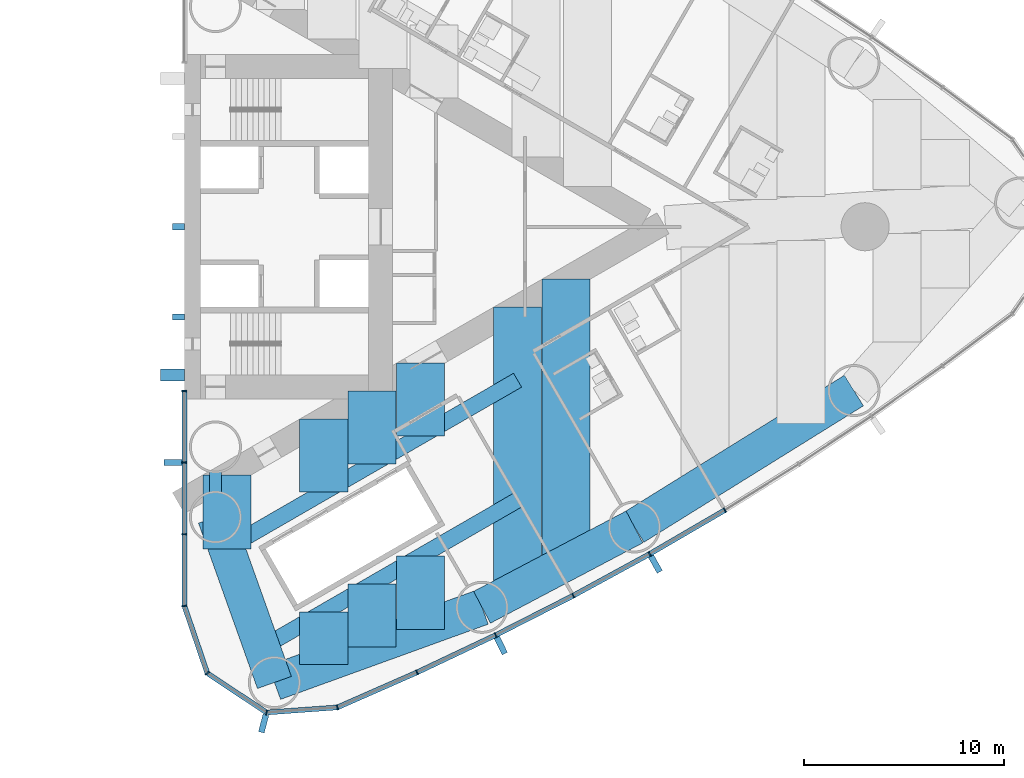
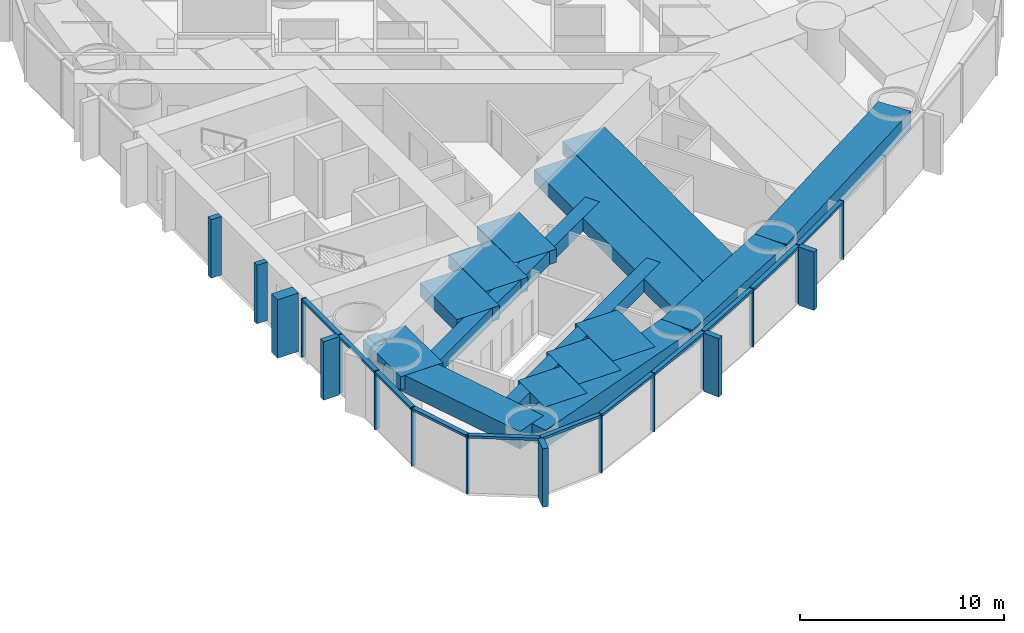
# One storey, part 6 of 18: 30 members, 16 beams, 1 element without a shape of its own.
"""IFC4 building model written with IfcOpenShell, lengths in metres."""

from ifc_helpers import new_model, si_unit, direction, frame, origin, origin_2d, place, context, subcontext, project, spatial, rectangle, hollow_rectangle, extrude, material, material_profile, profile_set, type_object, element, aggregate, save


model = new_model("IFC4")

# Units and contexts
model_context = context("Model", 3, precision=1e-05, world=origin(), true_north=direction((0.0, 1.0)))
body_context = subcontext(model_context, "Body", "Model", "MODEL_VIEW")
ifc_project = project(units=[si_unit("LENGTHUNIT", "METRE"), si_unit("AREAUNIT", "SQUARE_METRE"), si_unit("VOLUMEUNIT", "CUBIC_METRE"), si_unit("PLANEANGLEUNIT", "RADIAN"), si_unit("MASSUNIT", "GRAM", prefix="KILO")], contexts=[model_context])

# Site, building, storey
site_placement = place(None, origin())
site = spatial("IfcSite", under=ifc_project, at=site_placement, CompositionType="ELEMENT")
building_placement = place(site_placement, origin())
building = spatial("IfcBuilding", under=site, at=building_placement, Name="Lancet Gate Hotel", CompositionType="ELEMENT")
storey_placement = place(building_placement, frame((0.0, 0.0, 125.60009765625)))
storey = spatial("IfcBuildingStorey", under=building, at=storey_placement, Name="L33", CompositionType="ELEMENT", Elevation=125.60009765625)

# Curtain wall, members
ifc_material_1 = material(Name="Aluminium curtain wall", Category="aluminium")
curtain_wall_type = type_object("IfcCurtainWallType", Name="Tower unitised curtain wall", PredefinedType="USERDEFINED", material=ifc_material_1)
curtain_wall_placement = place(storey_placement, origin())
curtain_wall = element("IfcCurtainWall", 1, at=curtain_wall_placement, inside=storey, type_object=curtain_wall_type, Name="T2 L33 curtain wall 1", ObjectType="UNITISED CURTAIN WALL", PredefinedType="USERDEFINED")
ifc_material_2 = material(Name="Aluminium mullion", Category="aluminium")
ifc_material_profile_1 = material_profile(ifc_material_2, rectangle(XDim=0.06494140625, YDim=0.25, at=origin_2d()), Name="MULLION 65x250")
ifc_profile_set_1 = profile_set([ifc_material_profile_1], Name="Aluminium mullion")
member_type_1 = type_object("IfcMemberType", Name="Aluminium mullion 65x250", PredefinedType="MULLION", material=ifc_profile_set_1)
member_1_placement = place(storey_placement, frame((27.5, -8.199951171875, 0.0), z_axis=(0.0, 0.0, 1.0), x_axis=(0.0, -1.0, 0.0)))
member_1 = element("IfcMember", 2, at=member_1_placement, type_object=member_type_1, Name="T2 L33 curtain wall 1 mullion 1", PredefinedType="MULLION", context=body_context, shape_type="SweptSolid", body=[
    extrude(rectangle(XDim=0.06494140625, YDim=0.25, at=origin_2d()), origin(), (0.0, 0.0, 1.0), 3.5),
])
member_2_placement = place(storey_placement, frame((27.5, -11.781005859375, 0.0), z_axis=(0.0, 0.0, 1.0), x_axis=(0.0, -1.0, 0.0)))
member_2 = element("IfcMember", 3, at=member_2_placement, type_object=member_type_1, Name="T2 L33 curtain wall 1 mullion 2", PredefinedType="MULLION", context=body_context, shape_type="SweptSolid", body=[
    extrude(rectangle(XDim=0.06494140625, YDim=0.25, at=origin_2d()), origin(), (0.0, 0.0, 1.0), 3.5),
])
member_3_placement = place(storey_placement, frame((27.5, -15.362060546875, 0.0), z_axis=(0.0, 0.0, 1.0), x_axis=(0.0, -1.0, 0.0)))
member_3 = element("IfcMember", 4, at=member_3_placement, type_object=member_type_1, Name="T2 L33 curtain wall 1 mullion 3", PredefinedType="MULLION", context=body_context, shape_type="SweptSolid", body=[
    extrude(rectangle(XDim=0.06494140625, YDim=0.25, at=origin_2d()), origin(), (0.0, 0.0, 1.0), 3.5),
])
member_4_placement = place(storey_placement, frame((27.5, -18.94287109375, 0.0), z_axis=(0.0, 0.0, 1.0), x_axis=(0.162738742557, -0.986669195663, 0.0)))
member_4 = element("IfcMember", 5, at=member_4_placement, type_object=member_type_1, Name="T2 L33 curtain wall 1 mullion 4", PredefinedType="MULLION", context=body_context, shape_type="SweptSolid", body=[
    extrude(rectangle(XDim=0.06494140625, YDim=0.25, at=origin_2d()), origin(), (0.0, 0.0, 1.0), 3.5),
])
member_5_placement = place(storey_placement, frame((28.64453125, -22.301513671875, 0.0), z_axis=(0.0, 0.0, 1.0), x_axis=(0.610663954798, -0.79188984986, 0.0)))
member_5 = element("IfcMember", 6, at=member_5_placement, type_object=member_type_1, Name="T2 L33 curtain wall 1 mullion 5", PredefinedType="MULLION", context=body_context, shape_type="SweptSolid", body=[
    extrude(rectangle(XDim=0.06494140625, YDim=0.25, at=origin_2d()), origin(), (0.0, 0.0, 1.0), 3.5),
])
member_6_placement = place(storey_placement, frame((31.60205078125, -24.26220703125, 0.0), z_axis=(0.0, 0.0, 1.0), x_axis=(0.967157174963, -0.254179068604, 0.0)))
member_6 = element("IfcMember", 7, at=member_6_placement, type_object=member_type_1, Name="T2 L33 curtain wall 1 mullion 6", PredefinedType="MULLION", context=body_context, shape_type="SweptSolid", body=[
    extrude(rectangle(XDim=0.06494140625, YDim=0.25, at=origin_2d()), origin(), (0.0, 0.0, 1.0), 3.5),
])
member_7_placement = place(storey_placement, frame((35.141357421875, -24.009033203125, 0.0), z_axis=(0.0, 0.0, 1.0), x_axis=(0.966317378791, 0.257353304711, 0.0)))
member_7 = element("IfcMember", 8, at=member_7_placement, type_object=member_type_1, Name="T2 L33 curtain wall 1 mullion 7", PredefinedType="MULLION", context=body_context, shape_type="SweptSolid", body=[
    extrude(rectangle(XDim=0.06494140625, YDim=0.25, at=origin_2d()), origin(), (0.0, 0.0, 1.0), 3.5),
])
member_8_placement = place(storey_placement, frame((39.12109375, -22.259765625, 0.0), z_axis=(0.0, 0.0, 1.0), x_axis=(0.909672766767, 0.415325724465, 0.0)))
member_8 = element("IfcMember", 9, at=member_8_placement, type_object=member_type_1, Name="T2 L33 curtain wall 1 mullion 8", PredefinedType="MULLION", context=body_context, shape_type="SweptSolid", body=[
    extrude(rectangle(XDim=0.06494140625, YDim=0.25, at=origin_2d()), origin(), (0.0, 0.0, 1.0), 3.5),
])
member_9_placement = place(storey_placement, frame((43.0498046875, -20.398193359375, 0.0), z_axis=(0.0, 0.0, 1.0), x_axis=(0.897511886496, 0.440990264743, 0.0)))
member_9 = element("IfcMember", 10, at=member_9_placement, type_object=member_type_1, Name="T2 L33 curtain wall 1 mullion 9", PredefinedType="MULLION", context=body_context, shape_type="SweptSolid", body=[
    extrude(rectangle(XDim=0.06494140625, YDim=0.25, at=origin_2d()), origin(), (0.0, 0.0, 1.0), 3.5),
])
member_10_placement = place(storey_placement, frame((46.923828125, -18.426025390625, 0.0), z_axis=(0.0, 0.0, 1.0), x_axis=(0.884627112962, 0.466299121822, 0.0)))
member_10 = element("IfcMember", 11, at=member_10_placement, type_object=member_type_1, Name="T2 L33 curtain wall 1 mullion 10", PredefinedType="MULLION", context=body_context, shape_type="SweptSolid", body=[
    extrude(rectangle(XDim=0.06494140625, YDim=0.25, at=origin_2d()), origin(), (0.0, 0.0, 1.0), 3.5),
])
member_11_placement = place(storey_placement, frame((50.740478515625, -16.344482421875, 0.0), z_axis=(0.0, 0.0, 1.0), x_axis=(0.871028838445, 0.491231882716, 0.0)))
member_11 = element("IfcMember", 12, at=member_11_placement, type_object=member_type_1, Name="T2 L33 curtain wall 1 mullion 11", PredefinedType="MULLION", context=body_context, shape_type="SweptSolid", body=[
    extrude(rectangle(XDim=0.06494140625, YDim=0.25, at=origin_2d()), origin(), (0.0, 0.0, 1.0), 3.5),
])
member_12_placement = place(storey_placement, frame((54.496337890625, -14.1552734375, 0.0), z_axis=(0.0, 0.0, 1.0), x_axis=(0.856728030701, 0.515768437781, 0.0)))
member_12 = element("IfcMember", 13, at=member_12_placement, type_object=member_type_1, Name="T2 L33 curtain wall 1 mullion 12", PredefinedType="MULLION", context=body_context, shape_type="SweptSolid", body=[
    extrude(rectangle(XDim=0.06494140625, YDim=0.25, at=origin_2d()), origin(), (0.0, 0.0, 1.0), 3.5),
])
ifc_material_3 = material(Name="Aluminium transom", Category="aluminium")
ifc_material_profile_2 = material_profile(ifc_material_3, rectangle(XDim=0.25, YDim=0.14990234375, at=origin_2d()), Name="TRANSOM 250x150")
ifc_profile_set_2 = profile_set([ifc_material_profile_2], Name="Aluminium transom")
member_type_2 = type_object("IfcMemberType", Name="Aluminium transom 250x150", PredefinedType="USERDEFINED", material=ifc_profile_set_2)
member_13_placement = place(storey_placement, frame((27.5, -8.232421875, 3.4248046875), z_axis=(0.0, -1.0, 0.0), x_axis=(1.0, 0.0, 0.0)))
member_13 = element("IfcMember", 14, at=member_13_placement, type_object=member_type_2, Name="T2 L33 curtain wall 1 transom 1", ObjectType="TRANSOM", PredefinedType="USERDEFINED", context=body_context, shape_type="SweptSolid", body=[
    extrude(rectangle(XDim=0.25, YDim=0.14990234375, at=origin_2d()), origin(), (0.0, 0.0, 1.0), 3.51611328125),
])
member_14_placement = place(storey_placement, frame((27.5, -11.8134765625, 3.4248046875), z_axis=(0.0, -1.0, 0.0), x_axis=(1.0, 0.0, 0.0)))
member_14 = element("IfcMember", 15, at=member_14_placement, type_object=member_type_2, Name="T2 L33 curtain wall 1 transom 2", ObjectType="TRANSOM", PredefinedType="USERDEFINED", context=body_context, shape_type="SweptSolid", body=[
    extrude(rectangle(XDim=0.25, YDim=0.14990234375, at=origin_2d()), origin(), (0.0, 0.0, 1.0), 3.515869140625),
])
member_15_placement = place(storey_placement, frame((27.5, -15.39453125, 3.4248046875), z_axis=(0.0, -1.0, 0.0), x_axis=(1.0, 0.0, 0.0)))
member_15 = element("IfcMember", 16, at=member_15_placement, type_object=member_type_2, Name="T2 L33 curtain wall 1 transom 3", ObjectType="TRANSOM", PredefinedType="USERDEFINED", context=body_context, shape_type="SweptSolid", body=[
    extrude(rectangle(XDim=0.25, YDim=0.14990234375, at=origin_2d()), origin(), (0.0, 0.0, 1.0), 3.515869140625),
])
member_16_placement = place(storey_placement, frame((27.510498046875, -18.9736328125, 3.4248046875), z_axis=(0.322549769135, -0.946552505903, 0.0), x_axis=(0.946552505903, 0.322549769135, 0.0)))
member_16 = element("IfcMember", 17, at=member_16_placement, type_object=member_type_2, Name="T2 L33 curtain wall 1 transom 4", ObjectType="TRANSOM", PredefinedType="USERDEFINED", context=body_context, shape_type="SweptSolid", body=[
    extrude(rectangle(XDim=0.25, YDim=0.14990234375, at=origin_2d()), origin(), (0.0, 0.0, 1.0), 3.4833984375),
])
member_17_placement = place(storey_placement, frame((28.671630859375, -22.319580078125, 3.4248046875), z_axis=(0.833470854141, -0.552563421968, 0.0), x_axis=(0.552563421968, 0.833470854141, 0.0)))
member_17 = element("IfcMember", 18, at=member_17_placement, type_object=member_type_2, Name="T2 L33 curtain wall 1 transom 5", ObjectType="TRANSOM", PredefinedType="USERDEFINED", context=body_context, shape_type="SweptSolid", body=[
    extrude(rectangle(XDim=0.25, YDim=0.14990234375, at=origin_2d()), origin(), (0.0, 0.0, 1.0), 3.4833984375),
])
member_18_placement = place(storey_placement, frame((31.634521484375, -24.260009765625, 3.4248046875), z_axis=(0.997446232115, 0.071421383636, 0.0), x_axis=(-0.071421383636, 0.997446232115, 0.0)))
member_18 = element("IfcMember", 19, at=member_18_placement, type_object=member_type_2, Name="T2 L33 curtain wall 1 transom 6", ObjectType="TRANSOM", PredefinedType="USERDEFINED", context=body_context, shape_type="SweptSolid", body=[
    extrude(rectangle(XDim=0.25, YDim=0.14990234375, at=origin_2d()), origin(), (0.0, 0.0, 1.0), 3.483154296875),
])
member_19_placement = place(storey_placement, frame((35.171142578125, -23.995849609375, 3.4248046875), z_axis=(0.915484772266, 0.402352621155, 0.0), x_axis=(-0.402352621155, 0.915484772266, 0.0)))
member_19 = element("IfcMember", 20, at=member_19_placement, type_object=member_type_2, Name="T2 L33 curtain wall 1 transom 7", ObjectType="TRANSOM", PredefinedType="USERDEFINED", context=body_context, shape_type="SweptSolid", body=[
    extrude(rectangle(XDim=0.25, YDim=0.14990234375, at=origin_2d()), origin(), (0.0, 0.0, 1.0), 4.281982421875),
])
member_20_placement = place(storey_placement, frame((39.150634765625, -22.245849609375, 3.4248046875), z_axis=(0.903679787814, 0.428208875546, 0.0), x_axis=(-0.428208875546, 0.903679787814, 0.0)))
member_20 = element("IfcMember", 21, at=member_20_placement, type_object=member_type_2, Name="T2 L33 curtain wall 1 transom 8", ObjectType="TRANSOM", PredefinedType="USERDEFINED", context=body_context, shape_type="SweptSolid", body=[
    extrude(rectangle(XDim=0.25, YDim=0.14990234375, at=origin_2d()), origin(), (0.0, 0.0, 1.0), 4.282470703125),
])
member_21_placement = place(storey_placement, frame((43.07861328125, -20.383544921875, 3.4248046875), z_axis=(0.891165630033, 0.453678101574, 0.0), x_axis=(-0.453678101574, 0.891165630033, 0.0)))
member_21 = element("IfcMember", 22, at=member_21_placement, type_object=member_type_2, Name="T2 L33 curtain wall 1 transom 9", ObjectType="TRANSOM", PredefinedType="USERDEFINED", context=body_context, shape_type="SweptSolid", body=[
    extrude(rectangle(XDim=0.25, YDim=0.14990234375, at=origin_2d()), origin(), (0.0, 0.0, 1.0), 4.282470703125),
])
member_22_placement = place(storey_placement, frame((46.952392578125, -18.410400390625, 3.4248046875), z_axis=(0.877906466435, 0.478832158685, 0.0), x_axis=(-0.478832158685, 0.877906466435, 0.0)))
member_22 = element("IfcMember", 23, at=member_22_placement, type_object=member_type_2, Name="T2 L33 curtain wall 1 transom 10", ObjectType="TRANSOM", PredefinedType="USERDEFINED", context=body_context, shape_type="SweptSolid", body=[
    extrude(rectangle(XDim=0.25, YDim=0.14990234375, at=origin_2d()), origin(), (0.0, 0.0, 1.0), 4.282470703125),
])
member_23_placement = place(storey_placement, frame((50.7685546875, -16.327880859375, 3.4248046875), z_axis=(0.863973212152, 0.503537772847, 0.0), x_axis=(-0.503537772847, 0.863973212152, 0.0)))
member_23 = element("IfcMember", 24, at=member_23_placement, type_object=member_type_2, Name="T2 L33 curtain wall 1 transom 11", ObjectType="TRANSOM", PredefinedType="USERDEFINED", context=body_context, shape_type="SweptSolid", body=[
    extrude(rectangle(XDim=0.25, YDim=0.14990234375, at=origin_2d()), origin(), (0.0, 0.0, 1.0), 4.2822265625),
])

# Beams
ifc_material_4 = material(Name="Concrete C50/60", Category="concrete")
ifc_material_profile_3 = material_profile(ifc_material_4, rectangle(XDim=1.800048828125, YDim=1.050048828125, at=origin_2d()), Name="RC 1800x1050")
ifc_profile_set_3 = profile_set([ifc_material_profile_3], Name="Concrete C50/60")
beam_type_1 = type_object("IfcBeamType", Name="Edge beam RC 1800x1050", PredefinedType="SPANDREL", material=ifc_profile_set_3)
beam_1_placement = place(storey_placement, frame((31.99609375, -22.76318359375, 2.724853515625), z_axis=(0.940225039526, 0.340553777029, 0.0), x_axis=(-0.340553777029, 0.940225039526, 0.0)))
element("IfcBeam", 25, at=beam_1_placement, inside=storey, type_object=beam_type_1, Name="T2 edge beam EB1 L33", PredefinedType="SPANDREL", context=body_context, shape_type="SweptSolid", body=[
    extrude(rectangle(XDim=1.800048828125, YDim=1.050048828125, at=origin_2d()), origin(), (0.0, 0.0, 1.0), 11.029296875),
])
beam_2_placement = place(storey_placement, frame((42.3662109375, -19.007080078125, 2.724853515625), z_axis=(0.884632510133, 0.466288882578, 0.0), x_axis=(-0.466288882578, 0.884632510133, 0.0)))
element("IfcBeam", 26, at=beam_2_placement, inside=storey, type_object=beam_type_1, Name="T2 edge beam EB1 L33", PredefinedType="SPANDREL", context=body_context, shape_type="SweptSolid", body=[
    extrude(rectangle(XDim=1.800048828125, YDim=1.050048828125, at=origin_2d()), origin(), (0.0, 0.0, 1.0), 8.605712890625),
])
beam_3_placement = place(storey_placement, frame((49.97900390625, -14.994384765625, 2.724853515625), z_axis=(0.849312372751, 0.527890607505, 0.0), x_axis=(-0.527890607505, 0.849312372751, 0.0)))
element("IfcBeam", 27, at=beam_3_placement, inside=storey, type_object=beam_type_1, Name="T2 edge beam EB1 L33", PredefinedType="SPANDREL", context=body_context, shape_type="SweptSolid", body=[
    extrude(rectangle(XDim=1.800048828125, YDim=1.050048828125, at=origin_2d()), origin(), (0.0, 0.0, 1.0), 12.906494140625),
])
beam_4_placement = place(storey_placement, frame((31.99609375, -22.76318359375, 2.724853515625), z_axis=(-0.335821559388, 0.941925623523, 0.0), x_axis=(-0.941925623523, -0.335821559388, 0.0)))
element("IfcBeam", 28, at=beam_4_placement, inside=storey, type_object=beam_type_1, Name="T2 edge beam EB1 L33", PredefinedType="SPANDREL", context=body_context, shape_type="SweptSolid", body=[
    extrude(rectangle(XDim=1.800048828125, YDim=1.050048828125, at=origin_2d()), origin(), (0.0, 0.0, 1.0), 8.772705078125),
])

# Member
ifc_material_5 = material(Name="Concrete C60/75", Category="concrete")
ifc_material_profile_4 = material_profile(ifc_material_5, rectangle(XDim=0.60009765625, YDim=1.199951171875, at=origin_2d()), Name="FIN 600x1200")
ifc_profile_set_4 = profile_set([ifc_material_profile_4], Name="Concrete C60/75")
member_type_3 = type_object("IfcMemberType", Name="Exposed concrete buttress pilaster 600x1200", PredefinedType="USERDEFINED", material=ifc_profile_set_4)
member_24_placement = place(storey_placement, frame((26.909912109375, -7.39990234375, 0.0), z_axis=(0.0, 0.0, 1.0), x_axis=(0.0, 1.0, 0.0)))
element("IfcMember", 29, at=member_24_placement, inside=storey, type_object=member_type_3, Name="T2 buttress pilaster S L33", ObjectType="FIN", PredefinedType="USERDEFINED", context=body_context, shape_type="SweptSolid", body=[
    extrude(rectangle(XDim=0.60009765625, YDim=1.199951171875, at=origin_2d()), origin(), (0.0, 0.0, 1.0), 3.5),
])

ifc_material_6 = material(Name="Precast concrete C50/60", Category="concrete")
ifc_material_profile_5 = material_profile(ifc_material_6, rectangle(XDim=0.300048828125, YDim=0.89990234375, at=origin_2d()), Name="FIN 300x900")
ifc_profile_set_5 = profile_set([ifc_material_profile_5], Name="Precast concrete C50/60")
member_type_4 = type_object("IfcMemberType", Name="Exposed concrete fin 300x900", PredefinedType="USERDEFINED", material=ifc_profile_set_5)
member_25_placement = place(storey_placement, frame((26.925048828125, -11.781005859375, 0.0), z_axis=(0.0, 0.0, 1.0), x_axis=(0.0, -1.0, 0.0)))
member_25 = element("IfcMember", 30, at=member_25_placement, type_object=member_type_4, Name="T2 L33 curtain wall 1 fin 2", ObjectType="FIN", PredefinedType="USERDEFINED", context=body_context, shape_type="SweptSolid", body=[
    extrude(rectangle(XDim=0.300048828125, YDim=0.89990234375, at=origin_2d()), origin(), (0.0, 0.0, 1.0), 3.5),
])

member_26_placement = place(storey_placement, frame((31.455810546875, -24.818359375, 0.0), z_axis=(0.0, 0.0, 1.0), x_axis=(0.967157174963, -0.254179068604, 0.0)))
member_26 = element("IfcMember", 31, at=member_26_placement, type_object=member_type_4, Name="T2 L33 curtain wall 1 fin 6", ObjectType="FIN", PredefinedType="USERDEFINED", context=body_context, shape_type="SweptSolid", body=[
    extrude(rectangle(XDim=0.300048828125, YDim=0.89990234375, at=origin_2d()), origin(), (0.0, 0.0, 1.0), 3.5),
])

member_27_placement = place(storey_placement, frame((43.30322265625, -20.914306640625, 0.0), z_axis=(0.0, 0.0, 1.0), x_axis=(0.897511886496, 0.440990264743, 0.0)))
member_27 = element("IfcMember", 32, at=member_27_placement, type_object=member_type_4, Name="T2 L33 curtain wall 1 fin 9", ObjectType="FIN", PredefinedType="USERDEFINED", context=body_context, shape_type="SweptSolid", body=[
    extrude(rectangle(XDim=0.300048828125, YDim=0.89990234375, at=origin_2d()), origin(), (0.0, 0.0, 1.0), 3.5),
])

member_28_placement = place(storey_placement, frame((51.02294921875, -16.84521484375, 0.0), z_axis=(0.0, 0.0, 1.0), x_axis=(0.871028838445, 0.491231882716, 0.0)))
member_28 = element("IfcMember", 33, at=member_28_placement, type_object=member_type_4, Name="T2 L33 curtain wall 1 fin 11", ObjectType="FIN", PredefinedType="USERDEFINED", context=body_context, shape_type="SweptSolid", body=[
    extrude(rectangle(XDim=0.300048828125, YDim=0.89990234375, at=origin_2d()), origin(), (0.0, 0.0, 1.0), 3.5),
])

aggregate(curtain_wall, [member_1, member_2, member_25, member_3, member_4, member_5, member_6, member_26, member_7, member_8, member_9, member_27, member_10, member_11, member_28, member_12, member_13, member_14, member_15, member_16, member_17, member_18, member_19, member_20, member_21, member_22, member_23])

# Members
ifc_material_7 = material(Name="Concrete C60/75", Category="concrete")
ifc_material_profile_6 = material_profile(ifc_material_7, rectangle(XDim=0.300048828125, YDim=0.60009765625, at=origin_2d()), Name="FIN 300x600")
ifc_profile_set_6 = profile_set([ifc_material_profile_6], Name="Concrete C60/75")
member_type_5 = type_object("IfcMemberType", Name="Exposed concrete rib 300x600", PredefinedType="USERDEFINED", material=ifc_profile_set_6)
for number, where, z_axis, x_axis, name in (
    (34, (27.2099609375, -4.5, 0.0), (0.0, 0.0, 1.0), (0.0, 1.0, 0.0), "T2 core rib 1 L33"),
    (35, (27.2099609375, 0.0, 0.0), (0.0, 0.0, 1.0), (0.0, 1.0, 0.0), "T2 core rib 2 L33"),
):
    element("IfcMember", number, at=place(storey_placement, frame(where, z_axis=z_axis, x_axis=x_axis)), inside=storey, type_object=member_type_5, Name=name, ObjectType="FIN", PredefinedType="USERDEFINED", context=body_context, shape_type="SweptSolid", body=[
        extrude(rectangle(XDim=0.300048828125, YDim=0.60009765625, at=origin_2d()), origin(), (0.0, 0.0, 1.0), 3.5),
    ])

# Beams
ifc_material_8 = material(Name="Concrete C50/60", Category="concrete")
ifc_material_profile_7 = material_profile(ifc_material_8, rectangle(XDim=2.39990234375, YDim=0.800048828125, at=origin_2d()), Name="RC 2400x800")
ifc_profile_set_7 = profile_set([ifc_material_profile_7], Name="Concrete C50/60")
beam_type_2 = type_object("IfcBeamType", Name="Floor beam RC 2400x800", PredefinedType="BEAM", material=ifc_profile_set_7)
beam_5_placement = place(storey_placement, frame((29.6201171875, -16.099365234375, 2.849853515625), z_axis=(0.0, 1.0, 0.0), x_axis=(-1.0, 0.0, 0.0)))
element("IfcBeam", 36, at=beam_5_placement, inside=storey, type_object=beam_type_2, Name="T2 floor beam F01S L33", PredefinedType="BEAM", context=body_context, shape_type="SweptSolid", body=[
    extrude(rectangle(XDim=2.39990234375, YDim=0.800048828125, at=origin_2d()), origin(), (0.0, 0.0, 1.0), 3.69677734375),
])
beam_6_placement = place(storey_placement, frame((44.1416015625, -18.0712890625, 2.849853515625), z_axis=(0.0, 1.0, 0.0), x_axis=(-1.0, 0.0, 0.0)))
element("IfcBeam", 37, at=beam_6_placement, inside=storey, type_object=beam_type_2, Name="T2 floor beam F09S L33", PredefinedType="BEAM", context=body_context, shape_type="SweptSolid", body=[
    extrude(rectangle(XDim=2.39990234375, YDim=0.800048828125, at=origin_2d()), origin(), (0.0, 0.0, 1.0), 14.052490234375),
])
beam_7_placement = place(storey_placement, frame((46.561767578125, -16.795654296875, 2.849853515625), z_axis=(0.0, 1.0, 0.0), x_axis=(-1.0, 0.0, 0.0)))
element("IfcBeam", 38, at=beam_7_placement, inside=storey, type_object=beam_type_2, Name="T2 floor beam F11S L33", PredefinedType="BEAM", context=body_context, shape_type="SweptSolid", body=[
    extrude(rectangle(XDim=2.39990234375, YDim=0.800048828125, at=origin_2d()), origin(), (0.0, 0.0, 1.0), 14.17431640625),
])
beam_8_placement = place(storey_placement, frame((34.460693359375, -21.87060546875, 2.849853515625), z_axis=(0.0, 1.0, 0.0), x_axis=(-1.0, 0.0, 0.0)))
element("IfcBeam", 39, at=beam_8_placement, inside=storey, type_object=beam_type_2, Name="T2 floor beam F03SA L33", PredefinedType="BEAM", context=body_context, shape_type="SweptSolid", body=[
    extrude(rectangle(XDim=2.39990234375, YDim=0.800048828125, at=origin_2d()), origin(), (0.0, 0.0, 1.0), 2.62939453125),
])
beam_9_placement = place(storey_placement, frame((34.460693359375, -13.253662109375, 2.849853515625), z_axis=(0.0, 1.0, 0.0), x_axis=(-1.0, 0.0, 0.0)))
element("IfcBeam", 40, at=beam_9_placement, inside=storey, type_object=beam_type_2, Name="T2 floor beam F03SB L33", PredefinedType="BEAM", context=body_context, shape_type="SweptSolid", body=[
    extrude(rectangle(XDim=2.39990234375, YDim=0.800048828125, at=origin_2d()), origin(), (0.0, 0.0, 1.0), 3.645751953125),
])
beam_10_placement = place(storey_placement, frame((36.880859375, -20.993896484375, 2.849853515625), z_axis=(0.0, 1.0, 0.0), x_axis=(-1.0, 0.0, 0.0)))
element("IfcBeam", 41, at=beam_10_placement, inside=storey, type_object=beam_type_2, Name="T2 floor beam F05SA L33", PredefinedType="BEAM", context=body_context, shape_type="SweptSolid", body=[
    extrude(rectangle(XDim=2.39990234375, YDim=0.800048828125, at=origin_2d()), origin(), (0.0, 0.0, 1.0), 3.150146484375),
])
beam_11_placement = place(storey_placement, frame((36.880859375, -11.8564453125, 2.849853515625), z_axis=(0.0, 1.0, 0.0), x_axis=(-1.0, 0.0, 0.0)))
element("IfcBeam", 42, at=beam_11_placement, inside=storey, type_object=beam_type_2, Name="T2 floor beam F05SB L33", PredefinedType="BEAM", context=body_context, shape_type="SweptSolid", body=[
    extrude(rectangle(XDim=2.39990234375, YDim=0.800048828125, at=origin_2d()), origin(), (0.0, 0.0, 1.0), 3.645751953125),
])
beam_12_placement = place(storey_placement, frame((39.301025390625, -20.1171875, 2.849853515625), z_axis=(0.0, 1.0, 0.0), x_axis=(-1.0, 0.0, 0.0)))
element("IfcBeam", 43, at=beam_12_placement, inside=storey, type_object=beam_type_2, Name="T2 floor beam F07SA L33", PredefinedType="BEAM", context=body_context, shape_type="SweptSolid", body=[
    extrude(rectangle(XDim=2.39990234375, YDim=0.800048828125, at=origin_2d()), origin(), (0.0, 0.0, 1.0), 3.670654296875),
])
beam_13_placement = place(storey_placement, frame((39.301025390625, -10.458984375, 2.849853515625), z_axis=(0.0, 1.0, 0.0), x_axis=(-1.0, 0.0, 0.0)))
element("IfcBeam", 44, at=beam_13_placement, inside=storey, type_object=beam_type_2, Name="T2 floor beam F07SB L33", PredefinedType="BEAM", context=body_context, shape_type="SweptSolid", body=[
    extrude(rectangle(XDim=2.39990234375, YDim=0.800048828125, at=origin_2d()), origin(), (0.0, 0.0, 1.0), 3.6455078125),
])
ifc_material_9 = material(Name="Steel S460QL", Category="steel")
ifc_material_profile_8 = material_profile(ifc_material_9, hollow_rectangle(XDim=0.60009765625, YDim=1.5, WallThickness=0.050048828125, at=origin_2d()), Name="BOX 1500x600x50")
ifc_profile_set_8 = profile_set([ifc_material_profile_8], Name="Steel S460QL")
beam_type_3 = type_object("IfcBeamType", Name="Inner-face link beam BOX 1500x600x50", PredefinedType="BEAM", material=ifc_profile_set_8)
beam_14_placement = place(storey_placement, frame((29.050048828125, -13.25, 2.5), z_axis=(0.0, 1.0, 0.0), x_axis=(-1.0, 0.0, 0.0)))
element("IfcBeam", 45, at=beam_14_placement, inside=storey, type_object=beam_type_3, Name="T2 inner-face link beam LK1 L33", PredefinedType="BEAM", context=body_context, shape_type="SweptSolid", body=[
    extrude(hollow_rectangle(XDim=0.60009765625, YDim=1.5, WallThickness=0.050048828125, at=origin_2d()), origin(), (0.0, 0.0, 1.0), 1.0),
])
ifc_material_10 = material(Name="Steel S460QL", Category="steel")
ifc_material_profile_9 = material_profile(ifc_material_10, hollow_rectangle(XDim=0.800048828125, YDim=0.800048828125, WallThickness=0.080078125, at=origin_2d()), Name="BOX 800x800x80")
ifc_profile_set_9 = profile_set([ifc_material_profile_9], Name="Steel S460QL")
beam_type_4 = type_object("IfcBeamType", Name="Trimmer beam BOX 800x800x80", PredefinedType="BEAM", material=ifc_profile_set_9)
beam_15_placement = place(storey_placement, frame((29.6201171875, -16.048095703125, 2.849853515625), z_axis=(0.866036714307, 0.499980409089, 0.0), x_axis=(-0.499980409089, 0.866036714307, 0.0)))
element("IfcBeam", 46, at=beam_15_placement, inside=storey, type_object=beam_type_4, Name="T2 trimmer beam TR01S L33", PredefinedType="BEAM", context=body_context, shape_type="SweptSolid", body=[
    extrude(hollow_rectangle(XDim=0.800048828125, YDim=0.800048828125, WallThickness=0.080078125, at=origin_2d()), origin(), (0.0, 0.0, 1.0), 16.767822265625),
])
beam_16_placement = place(storey_placement, frame((31.375244140625, -21.0224609375, 2.849853515625), z_axis=(0.86603417384, 0.49998480951, 0.0), x_axis=(-0.49998480951, 0.86603417384, 0.0)))
element("IfcBeam", 47, at=beam_16_placement, inside=storey, type_object=beam_type_4, Name="T2 trimmer beam TR02S L33", PredefinedType="BEAM", context=body_context, shape_type="SweptSolid", body=[
    extrude(hollow_rectangle(XDim=0.800048828125, YDim=0.800048828125, WallThickness=0.080078125, at=origin_2d()), origin(), (0.0, 0.0, 1.0), 14.7412109375),
])

save(model, "model.ifc")
